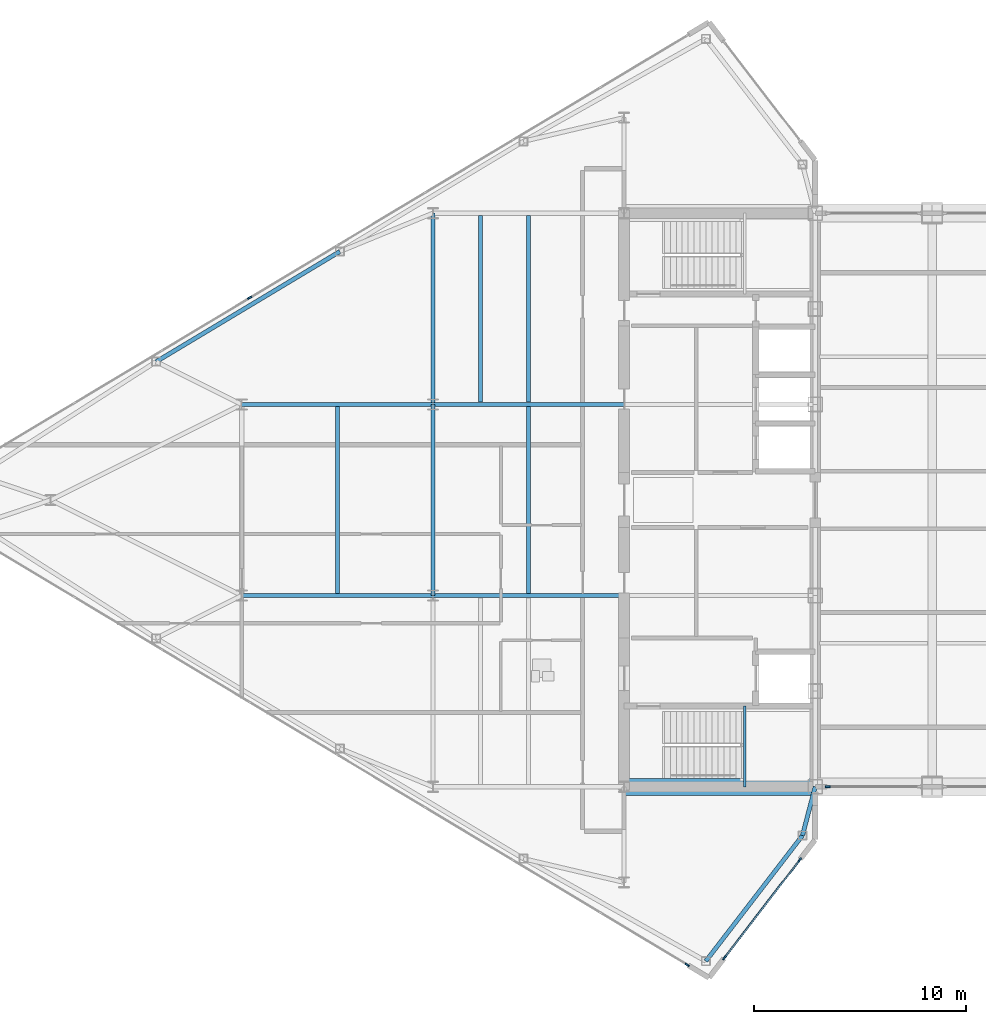
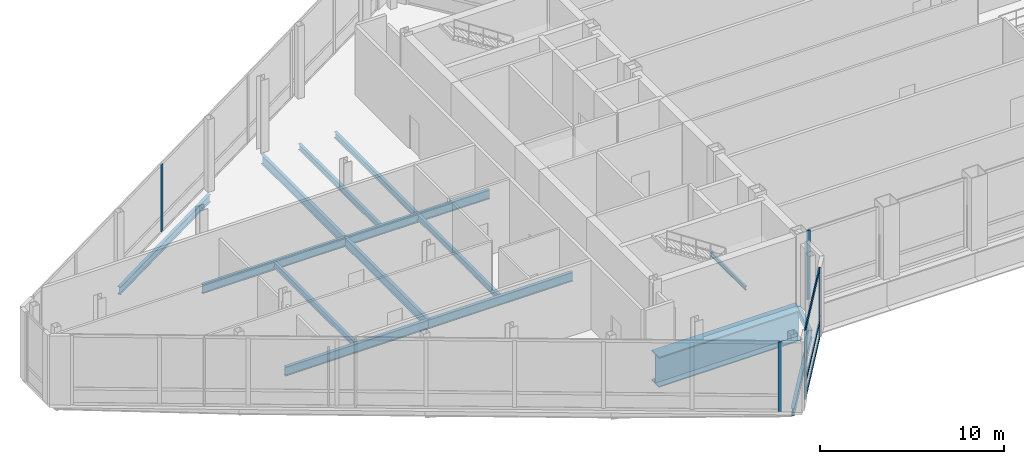
# One storey, part 9 of 30: 15 beams, 8 members, 4 elements without a shape of their own.
"""IFC4 building model written with IfcOpenShell, lengths in metres."""

from ifc_helpers import new_model, si_unit, direction, frame, origin, origin_2d, place, context, subcontext, project, spatial, rectangle, i_section, extrude, source, transform, mapped, material, layer, layer_set, material_profile, profile_set, type_object, type_shapes, element, aggregate, save


model = new_model("IFC4")

# Units and contexts
model_context = context("Model", 3, precision=1e-05, world=origin(), true_north=direction((0.0, 1.0)))
body_context = subcontext(model_context, "Body", "Model", "MODEL_VIEW")
ifc_project = project(units=[si_unit("LENGTHUNIT", "METRE"), si_unit("AREAUNIT", "SQUARE_METRE"), si_unit("VOLUMEUNIT", "CUBIC_METRE"), si_unit("PLANEANGLEUNIT", "RADIAN"), si_unit("MASSUNIT", "GRAM", prefix="KILO")], contexts=[model_context])

# Site, building, storey
site_placement = place(None, origin())
site = spatial("IfcSite", under=ifc_project, at=site_placement, CompositionType="ELEMENT")
building_placement = place(site_placement, origin())
building = spatial("IfcBuilding", under=site, at=building_placement, Name="Seokmaru Belvedere", CompositionType="ELEMENT")
storey_placement = place(building_placement, frame((0.0, 0.0, 234.60009765625)))
storey = spatial("IfcBuildingStorey", under=building, at=storey_placement, Name="L62", CompositionType="ELEMENT", Elevation=234.60009765625)

# Beams
ifc_material_1 = material(Name="Steel SM355 (355 MPa)", Category="steel")
ifc_material_profile_1 = material_profile(ifc_material_1, i_section(OverallWidth=0.199951171875, OverallDepth=0.60009765625, WebThickness=0.010986328125, FlangeThickness=0.01708984375, at=origin_2d()), Name="H-600x200x11x17")
ifc_profile_set_1 = profile_set([ifc_material_profile_1], Name="Steel SM355 (355 MPa)")
beam_type_1 = type_object("IfcBeamType", Name="Primary Floor Girder H-600", PredefinedType="BEAM", material=ifc_profile_set_1)
shared_shape_1 = source(origin(), body_context, "Body", "SweptSolid", [
    extrude(i_section(OverallWidth=0.199951171875, OverallDepth=0.60009765625, WebThickness=0.010986328125, FlangeThickness=0.01708984375, at=origin_2d()), origin(), (0.0, 0.0, 1.0), 9.0),
])
type_shapes(beam_type_1, [shared_shape_1])
for number, where, z_axis, x_axis, name in (
    (1, (-45.5, -4.5, -0.56005859375), (0.0, 1.0, 0.0), (-1.0, 0.0, 0.0), "L62 W Interior Grid Girder 2"),
    (2, (-45.5, 4.5, -0.56005859375), (0.0, 1.0, 0.0), (-1.0, 0.0, 0.0), "L62 W Interior Grid Girder 3"),
    (3, (-45.5, -4.5, -0.56005859375), (1.0, 0.0, 0.0), (0.0, 1.0, 0.0), "L62 W Wing Primary Girder 2"),
    (4, (-45.5, 4.5, -0.56005859375), (1.0, 0.0, 0.0), (0.0, 1.0, 0.0), "L62 W Wing Primary Girder 3"),
    (5, (-54.5, -4.5, -0.56005859375), (1.0, 0.0, 0.0), (0.0, 1.0, 0.0), "L62 W Outer Wing Girder 1"),
    (6, (-54.5, 4.5, -0.56005859375), (1.0, 0.0, 0.0), (0.0, 1.0, 0.0), "L62 W Outer Wing Girder 2"),
):
    element("IfcBeam", number, at=place(storey_placement, frame(where, z_axis=z_axis, x_axis=x_axis)), inside=storey, type_object=beam_type_1, Name=name, PredefinedType="BEAM", context=body_context, shape_type="MappedRepresentation", body=[
        mapped(shared_shape_1, transform((0.0, 0.0, 0.0), scale=1.0)),
    ])
ifc_material_profile_2 = material_profile(ifc_material_1, i_section(OverallWidth=0.18505859375, OverallDepth=0.389892578125, WebThickness=0.008056640625, FlangeThickness=0.011962890625, at=origin_2d()), Name="H-390x185x8x12")
ifc_profile_set_2 = profile_set([ifc_material_profile_2], Name="Steel SM355 (355 MPa)")
beam_type_2 = type_object("IfcBeamType", Name="Secondary Floor Joist H-350", PredefinedType="JOIST", material=ifc_profile_set_2)
shared_shape_2 = source(origin(), body_context, "Body", "SweptSolid", [
    extrude(i_section(OverallWidth=0.18505859375, OverallDepth=0.389892578125, WebThickness=0.008056640625, FlangeThickness=0.011962890625, at=origin_2d()), origin(), (0.0, 0.0, 1.0), 8.7900390625),
])
type_shapes(beam_type_2, [shared_shape_2])
for number, where, z_axis, x_axis, name in (
    (7, (-43.25, 4.60498046875, -0.455078125), (0.0, 1.0, 0.0), (-1.0, 0.0, 0.0), "L62 W Wing Inner Secondary Joist 2"),
    (8, (-41.0, -4.39501953125, -0.455078125), (0.0, 1.0, 0.0), (-1.0, 0.0, 0.0), "L62 W Secondary Floor Joist 2"),
    (9, (-41.0, 4.60498046875, -0.455078125), (0.0, 1.0, 0.0), (-1.0, 0.0, 0.0), "L62 W Secondary Floor Joist 3"),
    (10, (-50.0, -4.39501953125, -0.455078125), (0.0, 1.0, 0.0), (-1.0, 0.0, 0.0), "L62 W Outer Bay Secondary Joist"),
):
    element("IfcBeam", number, at=place(storey_placement, frame(where, z_axis=z_axis, x_axis=x_axis)), inside=storey, type_object=beam_type_2, Name=name, PredefinedType="JOIST", context=body_context, shape_type="MappedRepresentation", body=[
        mapped(shared_shape_2, transform((0.0, 0.0, 0.0), scale=1.0)),
    ])
ifc_material_profile_3 = material_profile(ifc_material_1, i_section(OverallWidth=0.199951171875, OverallDepth=0.5, WebThickness=0.010009765625, FlangeThickness=0.01611328125, at=origin_2d()), Name="H-500x200x10x16")
ifc_profile_set_3 = profile_set([ifc_material_profile_3], Name="Steel SM355 (355 MPa)")
beam_type_3 = type_object("IfcBeamType", Name="Perimeter Spandrel Beam H-500", PredefinedType="SPANDREL", material=ifc_profile_set_3)
shared_shape_3 = source(origin(), body_context, "Body", "SweptSolid", [
    extrude(i_section(OverallWidth=0.199951171875, OverallDepth=0.5, WebThickness=0.010009765625, FlangeThickness=0.01611328125, at=origin_2d()), origin(), (0.0, 0.0, 1.0), 10.087646484375),
])
beam_1_placement = place(storey_placement, frame((-49.8798828125, 11.698974609375, -0.510009765625), z_axis=(-0.857488654804, -0.514502873542, 0.0), x_axis=(0.514502873542, -0.857488654804, 0.0)))
element("IfcBeam", 11, at=beam_1_placement, inside=storey, type_object=beam_type_3, Name="L62 W Faceted Flank Spandrel N-3", PredefinedType="SPANDREL", context=body_context, shape_type="MappedRepresentation", body=[
    mapped(shared_shape_3, transform((0.0, 0.0, 0.0), scale=1.0)),
])
shared_shape_4 = source(origin(), body_context, "Body", "SweptSolid", [
    extrude(i_section(OverallWidth=0.199951171875, OverallDepth=0.5, WebThickness=0.010009765625, FlangeThickness=0.01611328125, at=origin_2d()), origin(), (0.0, 0.0, 1.0), 7.4619140625),
])
beam_2_placement = place(storey_placement, frame((-32.649658203125, -21.71044921875, -0.510009765625), z_axis=(0.609702854945, 0.792630070507, 0.0), x_axis=(-0.792630070507, 0.609702854945, 0.0)))
element("IfcBeam", 12, at=beam_2_placement, inside=storey, type_object=beam_type_3, Name="L62 W Shoulder Chamfer Spandrel S", PredefinedType="SPANDREL", context=body_context, shape_type="MappedRepresentation", body=[
    mapped(shared_shape_4, transform((0.0, 0.0, 0.0), scale=1.0)),
])
shared_shape_5 = source(origin(), body_context, "Body", "SweptSolid", [
    extrude(i_section(OverallWidth=0.199951171875, OverallDepth=0.5, WebThickness=0.010009765625, FlangeThickness=0.01611328125, at=origin_2d()), origin(), (0.0, 0.0, 1.0), 2.373046875),
])
type_shapes(beam_type_3, [shared_shape_3, shared_shape_4, shared_shape_5])
beam_3_placement = place(storey_placement, frame((-28.10009765625, -15.7958984375, -0.510009765625), z_axis=(0.252882558842, 0.967496982648, 0.0), x_axis=(-0.967496982648, 0.252882558842, 0.0)))
element("IfcBeam", 13, at=beam_3_placement, inside=storey, type_object=beam_type_3, Name="L62 W Shoulder Spine Spandrel S", PredefinedType="SPANDREL", context=body_context, shape_type="MappedRepresentation", body=[
    mapped(shared_shape_5, transform((0.0, 0.0, 0.0), scale=1.0)),
])
ifc_material_2 = material(Name="Steel HSA650 (650 MPa)", Category="steel")
ifc_material_profile_4 = material_profile(ifc_material_2, i_section(OverallWidth=0.800048828125, OverallDepth=2.0, WebThickness=0.0400390625, FlangeThickness=0.070068359375, at=origin_2d()), Name="BH-2000x800x40x70")
ifc_profile_set_4 = profile_set([ifc_material_profile_4], Name="Steel HSA650 (650 MPa)")
beam_type_4 = type_object("IfcBeamType", Name="Sky-Gate Transfer Truss Chord Girder BH-2000", PredefinedType="BEAM", material=ifc_profile_set_4)
shared_shape_6 = source(origin(), body_context, "Body", "SweptSolid", [
    extrude(i_section(OverallWidth=0.800048828125, OverallDepth=2.0, WebThickness=0.0400390625, FlangeThickness=0.070068359375, at=origin_2d()), origin(), (0.0, 0.0, 1.0), 9.0),
])
type_shapes(beam_type_4, [shared_shape_6])
beam_4_placement = place(storey_placement, frame((-36.5, -13.5, -1.260009765625), z_axis=(1.0, 0.0, 0.0), x_axis=(0.0, 1.0, 0.0)))
element("IfcBeam", 14, at=beam_4_placement, inside=storey, type_object=beam_type_4, Name="L62 Sky-Gate Transfer Truss Chord S-01", PredefinedType="BEAM", context=body_context, shape_type="MappedRepresentation", body=[
    mapped(shared_shape_6, transform((0.0, 0.0, 0.0), scale=1.0)),
])

# Curtain wall, members
ifc_material_3 = material(Name="Bronze Triple Insulating Glass", Category="glass")
ifc_layer = layer(ifc_material_3, 0.219970703125)
ifc_layer_set = layer_set([ifc_layer], Name="Bronze Triple Insulating Glass")
curtain_wall_type = type_object("IfcCurtainWallType", Name="Sky-Gate Bridge Panorama Curtain Wall System CW-6", PredefinedType="NOTDEFINED", material=ifc_layer_set)
curtain_wall_1_placement = place(storey_placement, origin())
curtain_wall_1 = element("IfcCurtainWall", 15, at=curtain_wall_1_placement, inside=storey, type_object=curtain_wall_type, Name="L62 Curtain Wall WF6", PredefinedType="NOTDEFINED")
ifc_material_4 = material(Name="Anodised Bronze Aluminium", Category="aluminium")
ifc_material_profile_5 = material_profile(ifc_material_4, rectangle(XDim=0.074951171875, YDim=0.179931640625, at=origin_2d()), Name="CW-T-75x180")
ifc_profile_set_5 = profile_set([ifc_material_profile_5], Name="Anodised Bronze Aluminium")
member_type_1 = type_object("IfcMemberType", Name="Bronze Unitised Transom 75x180", PredefinedType="USERDEFINED", material=ifc_profile_set_5)
shared_shape_7 = source(origin(), body_context, "Body", "SweptSolid", [
    extrude(rectangle(XDim=0.074951171875, YDim=0.179931640625, at=origin_2d()), origin(), (0.0, 0.0, 1.0), 5.74072265625),
])
type_shapes(member_type_1, [shared_shape_7])
member_1_placement = place(storey_placement, frame((-31.75, -21.525146484375, 0.037353515625), z_axis=(0.609686097287, 0.792642960465, 0.0), x_axis=(-0.792642960465, 0.609686097287, 0.0)))
member_1 = element("IfcMember", 16, at=member_1_placement, type_object=member_type_1, Name="CW:L62:WF6 Continuous Transom 1", ObjectType="TRANSOM", PredefinedType="USERDEFINED", context=body_context, shape_type="MappedRepresentation", body=[
    mapped(shared_shape_7, transform((0.0, 0.0, 0.0), scale=1.0)),
])
member_2_placement = place(storey_placement, frame((-31.75, -21.525146484375, 4.54248046875), z_axis=(0.609686097287, 0.792642960465, 0.0), x_axis=(-0.792642960465, 0.609686097287, 0.0)))
member_2 = element("IfcMember", 17, at=member_2_placement, type_object=member_type_1, Name="CW:L62:WF6 Continuous Transom 2", ObjectType="TRANSOM", PredefinedType="USERDEFINED", context=body_context, shape_type="MappedRepresentation", body=[
    mapped(shared_shape_7, transform((0.0, 0.0, 0.0), scale=1.0)),
])
member_3_placement = place(storey_placement, frame((-31.75, -21.525146484375, 1.0498046875), z_axis=(0.609686097287, 0.792642960465, 0.0), x_axis=(-0.792642960465, 0.609686097287, 0.0)))
member_3 = element("IfcMember", 18, at=member_3_placement, type_object=member_type_1, Name="CW:L62:WF6 Spandrel Transom 1", ObjectType="TRANSOM", PredefinedType="USERDEFINED", context=body_context, shape_type="MappedRepresentation", body=[
    mapped(shared_shape_7, transform((0.0, 0.0, 0.0), scale=1.0)),
])

# Curtain wall, member
curtain_wall_2_placement = place(storey_placement, origin())
curtain_wall_2 = element("IfcCurtainWall", 19, at=curtain_wall_2_placement, inside=storey, type_object=curtain_wall_type, Name="L62 Curtain Wall WF5", PredefinedType="NOTDEFINED")
ifc_material_profile_6 = material_profile(ifc_material_4, rectangle(XDim=0.080078125, YDim=0.219970703125, at=origin_2d()), Name="CW-M-80x220")
ifc_profile_set_6 = profile_set([ifc_material_profile_6], Name="Anodised Bronze Aluminium")
member_type_2 = type_object("IfcMemberType", Name="Bronze Unitised Mullion 80x220", PredefinedType="MULLION", material=ifc_profile_set_6)
shared_shape_8 = source(origin(), body_context, "Body", "SweptSolid", [
    extrude(rectangle(XDim=0.080078125, YDim=0.219970703125, at=origin_2d()), origin(), (0.0, 0.0, 1.0), 4.579833984375),
])
member_4_placement = place(storey_placement, frame((-33.5205078125, -21.8876953125, 0.0), z_axis=(0.0, 0.0, 1.0), x_axis=(0.514494909364, 0.85749343335, 0.0)))
member_4 = element("IfcMember", 20, at=member_4_placement, type_object=member_type_2, Name="CW:L62:WF5 Mullion 9", PredefinedType="MULLION", context=body_context, shape_type="MappedRepresentation", body=[
    mapped(shared_shape_8, transform((0.0, 0.0, 0.0), scale=1.0)),
])
aggregate(curtain_wall_2, [member_4])

# Member
member_5_placement = place(storey_placement, frame((-31.7744140625, -21.556884765625, 0.0), z_axis=(0.0, 0.0, 1.0), x_axis=(-0.792631353244, 0.609701187349, 0.0)))
member_5 = element("IfcMember", 21, at=member_5_placement, type_object=member_type_2, Name="CW:L62:WF6 Mullion 1", PredefinedType="MULLION", context=body_context, shape_type="MappedRepresentation", body=[
    mapped(shared_shape_8, transform((0.0, 0.0, 0.0), scale=1.0)),
])

member_6_placement = place(storey_placement, frame((-28.2255859375, -16.943115234375, 0.0), z_axis=(0.0, 0.0, 1.0), x_axis=(-0.792631353244, 0.609701187349, 0.0)))
member_6 = element("IfcMember", 22, at=member_6_placement, type_object=member_type_2, Name="CW:L62:WF6 Mullion 2", PredefinedType="MULLION", context=body_context, shape_type="MappedRepresentation", body=[
    mapped(shared_shape_8, transform((0.0, 0.0, 0.0), scale=1.0)),
])

aggregate(curtain_wall_1, [member_5, member_6, member_1, member_2, member_3])

# Curtain wall, member
curtain_wall_3_placement = place(storey_placement, origin())
curtain_wall_3 = element("IfcCurtainWall", 23, at=curtain_wall_3_placement, inside=storey, type_object=curtain_wall_type, Name="L62 Curtain Wall BR_S01", PredefinedType="NOTDEFINED")
member_7_placement = place(storey_placement, frame((-26.909912109375, -13.5, 0.0), z_axis=(0.0, 0.0, 1.0), x_axis=(0.0, 1.0, 0.0)))
member_7 = element("IfcMember", 24, at=member_7_placement, type_object=member_type_2, Name="CW:L62:BR_S01 Mullion 1", PredefinedType="MULLION", context=body_context, shape_type="MappedRepresentation", body=[
    mapped(shared_shape_8, transform((0.0, 0.0, 0.0), scale=1.0)),
])
aggregate(curtain_wall_3, [member_7])

curtain_wall_4_placement = place(storey_placement, origin())
curtain_wall_4 = element("IfcCurtainWall", 25, at=curtain_wall_4_placement, inside=storey, type_object=curtain_wall_type, Name="L62 Curtain Wall WF3", PredefinedType="NOTDEFINED")
shared_shape_9 = source(origin(), body_context, "Body", "SweptSolid", [
    extrude(rectangle(XDim=0.080078125, YDim=0.219970703125, at=origin_2d()), origin(), (0.0, 0.0, 1.0), 4.429931640625),
])
type_shapes(member_type_2, [shared_shape_8, shared_shape_9])
member_8_placement = place(storey_placement, frame((-54.12841796875, 9.52294921875, 0.074951171875), z_axis=(0.0, 0.0, 1.0), x_axis=(0.514494909364, -0.85749343335, 0.0)))
member_8 = element("IfcMember", 26, at=member_8_placement, type_object=member_type_2, Name="CW:L62:WF3 Mullion 6", PredefinedType="MULLION", context=body_context, shape_type="MappedRepresentation", body=[
    mapped(shared_shape_9, transform((0.0, 0.0, 0.0), scale=1.0)),
])
aggregate(curtain_wall_4, [member_8])

# Beam
ifc_material_profile_7 = material_profile(ifc_material_1, i_section(OverallWidth=0.125, OverallDepth=0.25, WebThickness=0.006103515625, FlangeThickness=0.009033203125, at=origin_2d()), Name="H-250x125x6x9")
ifc_profile_set_7 = profile_set([ifc_material_profile_7], Name="Steel SM355 (355 MPa)")
beam_type_5 = type_object("IfcBeamType", Name="Stair Mid-Landing Support Beam H-250", PredefinedType="JOIST", material=ifc_profile_set_7)
shared_shape_10 = source(origin(), body_context, "Body", "SweptSolid", [
    extrude(i_section(OverallWidth=0.125, OverallDepth=0.25, WebThickness=0.006103515625, FlangeThickness=0.009033203125, at=origin_2d()), origin(), (0.0, 0.0, 1.0), 3.800048828125),
])
type_shapes(beam_type_5, [shared_shape_10])
beam_5_placement = place(storey_placement, frame((-30.81005859375, -13.5, 2.074951171875), z_axis=(0.0, 1.0, 0.0), x_axis=(-1.0, 0.0, 0.0)))
element("IfcBeam", 27, at=beam_5_placement, inside=storey, type_object=beam_type_5, Name="L62 Stair ST-W1 Mid-Landing Support Beam 1", PredefinedType="JOIST", context=body_context, shape_type="MappedRepresentation", body=[
    mapped(shared_shape_10, transform((0.0, 0.0, 0.0), scale=1.0)),
])

save(model, "model.ifc")
